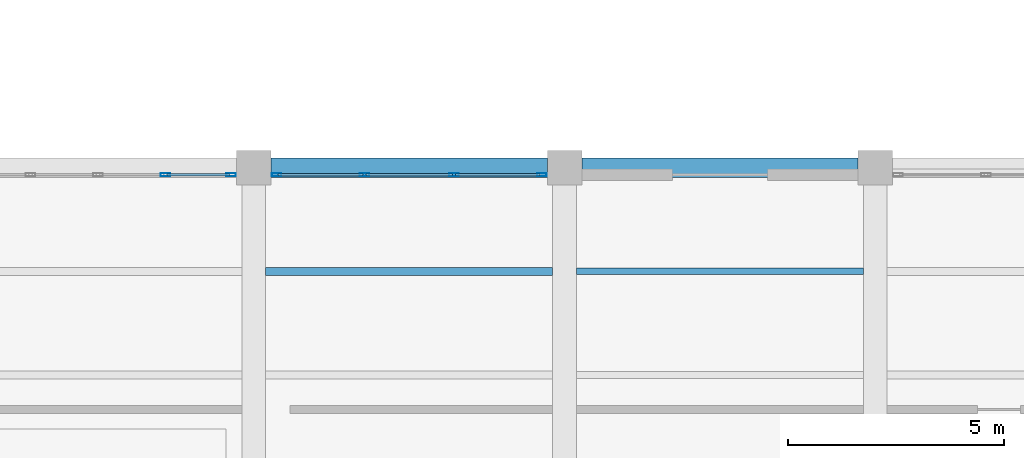
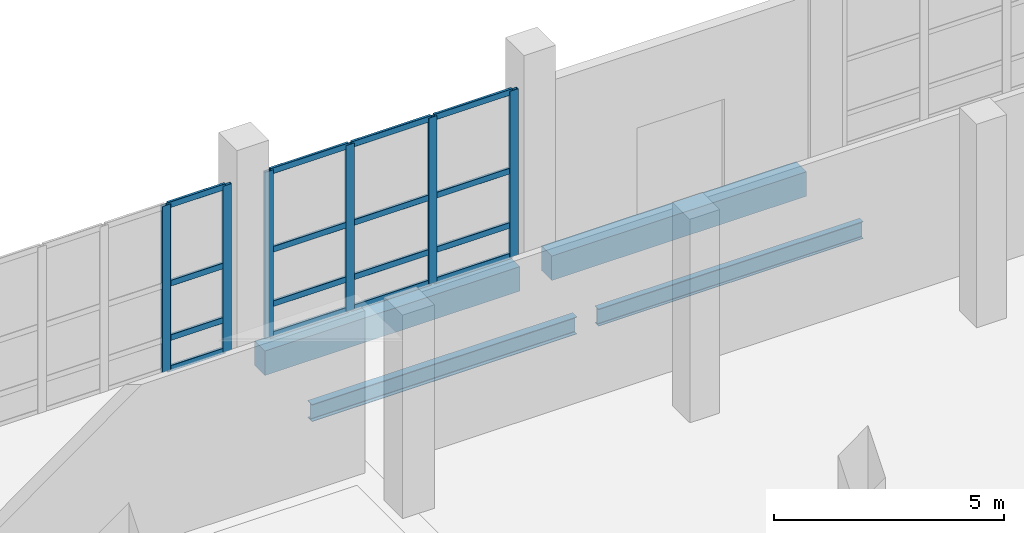
# One storey, part 42 of 137: 22 members, 4 beams, 2 elements without a shape of their own.
"""IFC4 building model written with IfcOpenShell, lengths in metres."""

from ifc_helpers import new_model, si_unit, direction, frame, origin, origin_2d, place, context, subcontext, project, spatial, rectangle, hollow_rectangle, i_section, extrude, material, material_profile, profile_set, type_object, element, aggregate, save


model = new_model("IFC4")

# Units and contexts
model_context = context("Model", 3, precision=1e-05, world=origin(), true_north=direction((0.0, 1.0)))
body_context = subcontext(model_context, "Body", "Model", "MODEL_VIEW")
ifc_project = project(units=[si_unit("LENGTHUNIT", "METRE"), si_unit("AREAUNIT", "SQUARE_METRE"), si_unit("VOLUMEUNIT", "CUBIC_METRE"), si_unit("PLANEANGLEUNIT", "RADIAN"), si_unit("MASSUNIT", "GRAM", prefix="KILO")], contexts=[model_context])

# Site, building, storey
site_placement = place(None, origin())
site = spatial("IfcSite", under=ifc_project, at=site_placement, CompositionType="ELEMENT")
building_placement = place(site_placement, origin())
building = spatial("IfcBuilding", under=site, at=building_placement, Name="Kalmorath City Hall", CompositionType="ELEMENT")
storey_placement = place(building_placement, origin())
storey = spatial("IfcBuildingStorey", under=building, at=storey_placement, Name="L00", CompositionType="ELEMENT", Elevation=0.0)

# Beams
ifc_material_1 = material(Name="Concrete C40/50", Category="concrete")
ifc_material_profile_1 = material_profile(ifc_material_1, rectangle(XDim=0.449951171875, YDim=0.64990234375, at=origin_2d()), Name="RC-BM-450X650")
ifc_profile_set_1 = profile_set([ifc_material_profile_1], Name="Concrete C40/50")
beam_type_1 = type_object("IfcBeamType", Name="Concrete spandrel beam 450x650", PredefinedType="SPANDREL", material=ifc_profile_set_1)
for number, where, z_axis, x_axis, name in (
    (1, (115.60009765625, 43.199951171875, -0.62890625), (1.0, 0.0, 0.0), (0.0, 1.0, 0.0), "L00 girder CB5 X17-18/7"),
    (2, (122.800048828125, 43.199951171875, -0.62890625), (1.0, 0.0, 0.0), (0.0, 1.0, 0.0), "L00 girder CB5 X18-19/7"),
):
    element("IfcBeam", number, at=place(storey_placement, frame(where, z_axis=z_axis, x_axis=x_axis)), inside=storey, type_object=beam_type_1, Name=name, PredefinedType="SPANDREL", context=body_context, shape_type="SweptSolid", body=[
        extrude(rectangle(XDim=0.449951171875, YDim=0.64990234375, at=origin_2d()), origin(), (0.0, 0.0, 1.0), 6.39990234375),
    ])

# Curtain wall, members
ifc_material_2 = material(Name="Anodised aluminium and laminated glass", Category="aluminium")
curtain_wall_type_1 = type_object("IfcCurtainWallType", Name="Unitised hurricane curtain wall 6245x4411 M1500", PredefinedType="NOTDEFINED", material=ifc_material_2)
curtain_wall_1_placement = place(storey_placement, origin())
curtain_wall_1 = element("IfcCurtainWall", 3, at=curtain_wall_1_placement, inside=storey, type_object=curtain_wall_type_1, Name="L00 curtain wall CW-62X44M15 #38", PredefinedType="NOTDEFINED")
ifc_material_3 = material(Name="Anodised aluminium framing", Category="aluminium")
ifc_material_profile_2 = material_profile(ifc_material_3, hollow_rectangle(XDim=0.074951171875, YDim=0.219970703125, WallThickness=0.00390625, InnerFilletRadius=0.00390625, OuterFilletRadius=0.008056640625, at=origin_2d()), Name="ALU-MUL-220X75X4")
ifc_profile_set_2 = profile_set([ifc_material_profile_2], Name="Anodised aluminium framing")
member_type_1 = type_object("IfcMemberType", Name="Curtain-wall primary mullion 220x75", PredefinedType="MULLION", material=ifc_profile_set_2)
member_1_placement = place(storey_placement, frame((113.148681640625, 43.0400390625, 0.0), z_axis=(0.0, 0.0, 1.0), x_axis=(0.0, 1.0, 0.0)))
member_1 = element("IfcMember", 4, at=member_1_placement, type_object=member_type_1, Name="CW-62X44M15 mullion 4", PredefinedType="MULLION", context=body_context, shape_type="SweptSolid", body=[
    extrude(hollow_rectangle(XDim=0.074951171875, YDim=0.219970703125, WallThickness=0.00390625, InnerFilletRadius=0.00390625, OuterFilletRadius=0.008056640625, at=origin_2d()), origin(), (0.0, 0.0, 1.0), 4.410888671875),
])
member_2_placement = place(storey_placement, frame((114.672607421875, 43.0400390625, 0.0), z_axis=(0.0, 0.0, 1.0), x_axis=(0.0, 1.0, 0.0)))
member_2 = element("IfcMember", 5, at=member_2_placement, type_object=member_type_1, Name="CW-62X44M15 mullion 5", PredefinedType="MULLION", context=body_context, shape_type="SweptSolid", body=[
    extrude(hollow_rectangle(XDim=0.074951171875, YDim=0.219970703125, WallThickness=0.00390625, InnerFilletRadius=0.00390625, OuterFilletRadius=0.008056640625, at=origin_2d()), origin(), (0.0, 0.0, 1.0), 4.410888671875),
])

ifc_material_4 = material(Name="Anodised aluminium and laminated glass", Category="aluminium")
curtain_wall_type_2 = type_object("IfcCurtainWallType", Name="Unitised hurricane curtain wall 6220x4411 M1800", PredefinedType="NOTDEFINED", material=ifc_material_4)
curtain_wall_2_placement = place(storey_placement, origin())
curtain_wall_2 = element("IfcCurtainWall", 6, at=curtain_wall_2_placement, inside=storey, type_object=curtain_wall_type_2, Name="L00 curtain wall CW-62X44M18 #39", PredefinedType="NOTDEFINED")
member_3_placement = place(storey_placement, frame((115.7275390625, 43.0400390625, 0.0), z_axis=(0.0, 0.0, 1.0), x_axis=(0.0, 1.0, 0.0)))
member_3 = element("IfcMember", 7, at=member_3_placement, type_object=member_type_1, Name="CW-62X44M18 mullion 1", PredefinedType="MULLION", context=body_context, shape_type="SweptSolid", body=[
    extrude(hollow_rectangle(XDim=0.074951171875, YDim=0.219970703125, WallThickness=0.00390625, InnerFilletRadius=0.00390625, OuterFilletRadius=0.008056640625, at=origin_2d()), origin(), (0.0, 0.0, 1.0), 4.410888671875),
])
member_4_placement = place(storey_placement, frame((117.763427734375, 43.0400390625, 0.0), z_axis=(0.0, 0.0, 1.0), x_axis=(0.0, 1.0, 0.0)))
member_4 = element("IfcMember", 8, at=member_4_placement, type_object=member_type_1, Name="CW-62X44M18 mullion 2", PredefinedType="MULLION", context=body_context, shape_type="SweptSolid", body=[
    extrude(hollow_rectangle(XDim=0.074951171875, YDim=0.219970703125, WallThickness=0.00390625, InnerFilletRadius=0.00390625, OuterFilletRadius=0.008056640625, at=origin_2d()), origin(), (0.0, 0.0, 1.0), 4.410888671875),
])
member_5_placement = place(storey_placement, frame((119.836669921875, 43.0400390625, 0.0), z_axis=(0.0, 0.0, 1.0), x_axis=(0.0, 1.0, 0.0)))
member_5 = element("IfcMember", 9, at=member_5_placement, type_object=member_type_1, Name="CW-62X44M18 mullion 3", PredefinedType="MULLION", context=body_context, shape_type="SweptSolid", body=[
    extrude(hollow_rectangle(XDim=0.074951171875, YDim=0.219970703125, WallThickness=0.00390625, InnerFilletRadius=0.00390625, OuterFilletRadius=0.008056640625, at=origin_2d()), origin(), (0.0, 0.0, 1.0), 4.410888671875),
])
member_6_placement = place(storey_placement, frame((121.87255859375, 43.0400390625, 0.0), z_axis=(0.0, 0.0, 1.0), x_axis=(0.0, 1.0, 0.0)))
member_6 = element("IfcMember", 10, at=member_6_placement, type_object=member_type_1, Name="CW-62X44M18 mullion 4", PredefinedType="MULLION", context=body_context, shape_type="SweptSolid", body=[
    extrude(hollow_rectangle(XDim=0.074951171875, YDim=0.219970703125, WallThickness=0.00390625, InnerFilletRadius=0.00390625, OuterFilletRadius=0.008056640625, at=origin_2d()), origin(), (0.0, 0.0, 1.0), 4.410888671875),
])

# Member
ifc_material_5 = material(Name="Anodised aluminium framing", Category="aluminium")
ifc_material_profile_3 = material_profile(ifc_material_5, hollow_rectangle(XDim=0.06494140625, YDim=0.159912109375, WallThickness=0.00390625, InnerFilletRadius=0.00390625, OuterFilletRadius=0.008056640625, at=origin_2d()), Name="ALU-TRN-160X65X4")
ifc_profile_set_3 = profile_set([ifc_material_profile_3], Name="Anodised aluminium framing")
member_type_2 = type_object("IfcMemberType", Name="Curtain-wall primary transom 160x65", PredefinedType="USERDEFINED", material=ifc_profile_set_3)
member_7_placement = place(storey_placement, frame((113.186279296875, 43.0400390625, 0.032470703125), z_axis=(1.0, 0.0, 0.0), x_axis=(0.0, 1.0, 0.0)))
member_7 = element("IfcMember", 11, at=member_7_placement, type_object=member_type_2, Name="CW-62X44M15 transom 4.1", ObjectType="TRANSOM", PredefinedType="USERDEFINED", context=body_context, shape_type="SweptSolid", body=[
    extrude(hollow_rectangle(XDim=0.06494140625, YDim=0.159912109375, WallThickness=0.00390625, InnerFilletRadius=0.00390625, OuterFilletRadius=0.008056640625, at=origin_2d()), origin(), (0.0, 0.0, 1.0), 1.44873046875),
])

member_8_placement = place(storey_placement, frame((113.186279296875, 43.0400390625, 0.85009765625), z_axis=(1.0, 0.0, 0.0), x_axis=(0.0, 1.0, 0.0)))
member_8 = element("IfcMember", 12, at=member_8_placement, type_object=member_type_2, Name="CW-62X44M15 transom 4.2", ObjectType="TRANSOM", PredefinedType="USERDEFINED", context=body_context, shape_type="SweptSolid", body=[
    extrude(hollow_rectangle(XDim=0.06494140625, YDim=0.159912109375, WallThickness=0.00390625, InnerFilletRadius=0.00390625, OuterFilletRadius=0.008056640625, at=origin_2d()), origin(), (0.0, 0.0, 1.0), 1.44873046875),
])

member_9_placement = place(storey_placement, frame((113.186279296875, 43.0400390625, 2.2939453125), z_axis=(1.0, 0.0, 0.0), x_axis=(0.0, 1.0, 0.0)))
member_9 = element("IfcMember", 13, at=member_9_placement, type_object=member_type_2, Name="CW-62X44M15 transom 4.3", ObjectType="TRANSOM", PredefinedType="USERDEFINED", context=body_context, shape_type="SweptSolid", body=[
    extrude(hollow_rectangle(XDim=0.06494140625, YDim=0.159912109375, WallThickness=0.00390625, InnerFilletRadius=0.00390625, OuterFilletRadius=0.008056640625, at=origin_2d()), origin(), (0.0, 0.0, 1.0), 1.44873046875),
])

member_10_placement = place(storey_placement, frame((113.186279296875, 43.0400390625, 4.37841796875), z_axis=(1.0, 0.0, 0.0), x_axis=(0.0, 1.0, 0.0)))
member_10 = element("IfcMember", 14, at=member_10_placement, type_object=member_type_2, Name="CW-62X44M15 transom 4.4", ObjectType="TRANSOM", PredefinedType="USERDEFINED", context=body_context, shape_type="SweptSolid", body=[
    extrude(hollow_rectangle(XDim=0.06494140625, YDim=0.159912109375, WallThickness=0.00390625, InnerFilletRadius=0.00390625, OuterFilletRadius=0.008056640625, at=origin_2d()), origin(), (0.0, 0.0, 1.0), 1.44873046875),
])

aggregate(curtain_wall_1, [member_1, member_2, member_7, member_8, member_9, member_10])

member_11_placement = place(storey_placement, frame((115.764892578125, 43.0400390625, 0.032470703125), z_axis=(1.0, 0.0, 0.0), x_axis=(0.0, 1.0, 0.0)))
member_11 = element("IfcMember", 15, at=member_11_placement, type_object=member_type_2, Name="CW-62X44M18 transom 1.1", ObjectType="TRANSOM", PredefinedType="USERDEFINED", context=body_context, shape_type="SweptSolid", body=[
    extrude(hollow_rectangle(XDim=0.06494140625, YDim=0.159912109375, WallThickness=0.00390625, InnerFilletRadius=0.00390625, OuterFilletRadius=0.008056640625, at=origin_2d()), origin(), (0.0, 0.0, 1.0), 1.9609375),
])

member_12_placement = place(storey_placement, frame((115.764892578125, 43.0400390625, 0.85009765625), z_axis=(1.0, 0.0, 0.0), x_axis=(0.0, 1.0, 0.0)))
member_12 = element("IfcMember", 16, at=member_12_placement, type_object=member_type_2, Name="CW-62X44M18 transom 1.2", ObjectType="TRANSOM", PredefinedType="USERDEFINED", context=body_context, shape_type="SweptSolid", body=[
    extrude(hollow_rectangle(XDim=0.06494140625, YDim=0.159912109375, WallThickness=0.00390625, InnerFilletRadius=0.00390625, OuterFilletRadius=0.008056640625, at=origin_2d()), origin(), (0.0, 0.0, 1.0), 1.9609375),
])

member_13_placement = place(storey_placement, frame((115.764892578125, 43.0400390625, 2.2939453125), z_axis=(1.0, 0.0, 0.0), x_axis=(0.0, 1.0, 0.0)))
member_13 = element("IfcMember", 17, at=member_13_placement, type_object=member_type_2, Name="CW-62X44M18 transom 1.3", ObjectType="TRANSOM", PredefinedType="USERDEFINED", context=body_context, shape_type="SweptSolid", body=[
    extrude(hollow_rectangle(XDim=0.06494140625, YDim=0.159912109375, WallThickness=0.00390625, InnerFilletRadius=0.00390625, OuterFilletRadius=0.008056640625, at=origin_2d()), origin(), (0.0, 0.0, 1.0), 1.9609375),
])

member_14_placement = place(storey_placement, frame((115.764892578125, 43.0400390625, 4.37841796875), z_axis=(1.0, 0.0, 0.0), x_axis=(0.0, 1.0, 0.0)))
member_14 = element("IfcMember", 18, at=member_14_placement, type_object=member_type_2, Name="CW-62X44M18 transom 1.4", ObjectType="TRANSOM", PredefinedType="USERDEFINED", context=body_context, shape_type="SweptSolid", body=[
    extrude(hollow_rectangle(XDim=0.06494140625, YDim=0.159912109375, WallThickness=0.00390625, InnerFilletRadius=0.00390625, OuterFilletRadius=0.008056640625, at=origin_2d()), origin(), (0.0, 0.0, 1.0), 1.9609375),
])

member_15_placement = place(storey_placement, frame((117.80078125, 43.0400390625, 0.032470703125), z_axis=(1.0, 0.0, 0.0), x_axis=(0.0, 1.0, 0.0)))
member_15 = element("IfcMember", 19, at=member_15_placement, type_object=member_type_2, Name="CW-62X44M18 transom 2.1", ObjectType="TRANSOM", PredefinedType="USERDEFINED", context=body_context, shape_type="SweptSolid", body=[
    extrude(hollow_rectangle(XDim=0.06494140625, YDim=0.159912109375, WallThickness=0.00390625, InnerFilletRadius=0.00390625, OuterFilletRadius=0.008056640625, at=origin_2d()), origin(), (0.0, 0.0, 1.0), 1.998291015625),
])

member_16_placement = place(storey_placement, frame((117.80078125, 43.0400390625, 0.85009765625), z_axis=(1.0, 0.0, 0.0), x_axis=(0.0, 1.0, 0.0)))
member_16 = element("IfcMember", 20, at=member_16_placement, type_object=member_type_2, Name="CW-62X44M18 transom 2.2", ObjectType="TRANSOM", PredefinedType="USERDEFINED", context=body_context, shape_type="SweptSolid", body=[
    extrude(hollow_rectangle(XDim=0.06494140625, YDim=0.159912109375, WallThickness=0.00390625, InnerFilletRadius=0.00390625, OuterFilletRadius=0.008056640625, at=origin_2d()), origin(), (0.0, 0.0, 1.0), 1.998291015625),
])

member_17_placement = place(storey_placement, frame((117.80078125, 43.0400390625, 2.2939453125), z_axis=(1.0, 0.0, 0.0), x_axis=(0.0, 1.0, 0.0)))
member_17 = element("IfcMember", 21, at=member_17_placement, type_object=member_type_2, Name="CW-62X44M18 transom 2.3", ObjectType="TRANSOM", PredefinedType="USERDEFINED", context=body_context, shape_type="SweptSolid", body=[
    extrude(hollow_rectangle(XDim=0.06494140625, YDim=0.159912109375, WallThickness=0.00390625, InnerFilletRadius=0.00390625, OuterFilletRadius=0.008056640625, at=origin_2d()), origin(), (0.0, 0.0, 1.0), 1.998291015625),
])

member_18_placement = place(storey_placement, frame((117.80078125, 43.0400390625, 4.37841796875), z_axis=(1.0, 0.0, 0.0), x_axis=(0.0, 1.0, 0.0)))
member_18 = element("IfcMember", 22, at=member_18_placement, type_object=member_type_2, Name="CW-62X44M18 transom 2.4", ObjectType="TRANSOM", PredefinedType="USERDEFINED", context=body_context, shape_type="SweptSolid", body=[
    extrude(hollow_rectangle(XDim=0.06494140625, YDim=0.159912109375, WallThickness=0.00390625, InnerFilletRadius=0.00390625, OuterFilletRadius=0.008056640625, at=origin_2d()), origin(), (0.0, 0.0, 1.0), 1.998291015625),
])

member_19_placement = place(storey_placement, frame((119.874267578125, 43.0400390625, 0.032470703125), z_axis=(1.0, 0.0, 0.0), x_axis=(0.0, 1.0, 0.0)))
member_19 = element("IfcMember", 23, at=member_19_placement, type_object=member_type_2, Name="CW-62X44M18 transom 3.1", ObjectType="TRANSOM", PredefinedType="USERDEFINED", context=body_context, shape_type="SweptSolid", body=[
    extrude(hollow_rectangle(XDim=0.06494140625, YDim=0.159912109375, WallThickness=0.00390625, InnerFilletRadius=0.00390625, OuterFilletRadius=0.008056640625, at=origin_2d()), origin(), (0.0, 0.0, 1.0), 1.960693359375),
])

member_20_placement = place(storey_placement, frame((119.874267578125, 43.0400390625, 0.85009765625), z_axis=(1.0, 0.0, 0.0), x_axis=(0.0, 1.0, 0.0)))
member_20 = element("IfcMember", 24, at=member_20_placement, type_object=member_type_2, Name="CW-62X44M18 transom 3.2", ObjectType="TRANSOM", PredefinedType="USERDEFINED", context=body_context, shape_type="SweptSolid", body=[
    extrude(hollow_rectangle(XDim=0.06494140625, YDim=0.159912109375, WallThickness=0.00390625, InnerFilletRadius=0.00390625, OuterFilletRadius=0.008056640625, at=origin_2d()), origin(), (0.0, 0.0, 1.0), 1.960693359375),
])

member_21_placement = place(storey_placement, frame((119.874267578125, 43.0400390625, 2.2939453125), z_axis=(1.0, 0.0, 0.0), x_axis=(0.0, 1.0, 0.0)))
member_21 = element("IfcMember", 25, at=member_21_placement, type_object=member_type_2, Name="CW-62X44M18 transom 3.3", ObjectType="TRANSOM", PredefinedType="USERDEFINED", context=body_context, shape_type="SweptSolid", body=[
    extrude(hollow_rectangle(XDim=0.06494140625, YDim=0.159912109375, WallThickness=0.00390625, InnerFilletRadius=0.00390625, OuterFilletRadius=0.008056640625, at=origin_2d()), origin(), (0.0, 0.0, 1.0), 1.960693359375),
])

member_22_placement = place(storey_placement, frame((119.874267578125, 43.0400390625, 4.37841796875), z_axis=(1.0, 0.0, 0.0), x_axis=(0.0, 1.0, 0.0)))
member_22 = element("IfcMember", 26, at=member_22_placement, type_object=member_type_2, Name="CW-62X44M18 transom 3.4", ObjectType="TRANSOM", PredefinedType="USERDEFINED", context=body_context, shape_type="SweptSolid", body=[
    extrude(hollow_rectangle(XDim=0.06494140625, YDim=0.159912109375, WallThickness=0.00390625, InnerFilletRadius=0.00390625, OuterFilletRadius=0.008056640625, at=origin_2d()), origin(), (0.0, 0.0, 1.0), 1.960693359375),
])

aggregate(curtain_wall_2, [member_3, member_4, member_5, member_6, member_11, member_12, member_13, member_14, member_15, member_16, member_17, member_18, member_19, member_20, member_21, member_22])

# Beams
ifc_material_6 = material(Name="Steel ASTM A992 Grade 50", Category="steel")
ifc_material_profile_4 = material_profile(ifc_material_6, i_section(OverallWidth=0.153076171875, OverallDepth=0.455078125, WebThickness=0.008056640625, FlangeThickness=0.01318359375, FilletRadius=0.013916015625, at=origin_2d()), Name="W18X40")
ifc_profile_set_4 = profile_set([ifc_material_profile_4], Name="Steel ASTM A992 Grade 50")
beam_type_2 = type_object("IfcBeamType", Name="Steel composite joist W18X40", PredefinedType="JOIST", material=ifc_profile_set_4)
beam_1_placement = place(storey_placement, frame((122.675048828125, 40.800048828125, -0.531494140625), z_axis=(1.0, 0.0, 0.0), x_axis=(0.0, 1.0, 0.0)))
element("IfcBeam", 27, at=beam_1_placement, inside=storey, type_object=beam_type_2, Name="L00 joist SJ4 18.6.2", PredefinedType="JOIST", context=body_context, shape_type="SweptSolid", body=[
    extrude(i_section(OverallWidth=0.153076171875, OverallDepth=0.455078125, WebThickness=0.008056640625, FlangeThickness=0.01318359375, FilletRadius=0.013916015625, at=origin_2d()), origin(), (0.0, 0.0, 1.0), 6.64990234375),
])
ifc_material_7 = material(Name="Steel ASTM A992 Grade 50", Category="steel")
ifc_material_profile_5 = material_profile(ifc_material_7, i_section(OverallWidth=0.19091796875, OverallDepth=0.45703125, WebThickness=0.009033203125, FlangeThickness=0.014404296875, FilletRadius=0.013916015625, at=origin_2d()), Name="W18X50")
ifc_profile_set_5 = profile_set([ifc_material_profile_5], Name="Steel ASTM A992 Grade 50")
beam_type_3 = type_object("IfcBeamType", Name="Steel composite joist W18X50", PredefinedType="JOIST", material=ifc_profile_set_5)
beam_2_placement = place(storey_placement, frame((115.47509765625, 40.800048828125, -0.532470703125), z_axis=(1.0, 0.0, 0.0), x_axis=(0.0, 1.0, 0.0)))
element("IfcBeam", 28, at=beam_2_placement, inside=storey, type_object=beam_type_3, Name="L00 joist SJ3 17.6.2", PredefinedType="JOIST", context=body_context, shape_type="SweptSolid", body=[
    extrude(i_section(OverallWidth=0.19091796875, OverallDepth=0.45703125, WebThickness=0.009033203125, FlangeThickness=0.014404296875, FilletRadius=0.013916015625, at=origin_2d()), origin(), (0.0, 0.0, 1.0), 6.64990234375),
])

save(model, "model.ifc")
